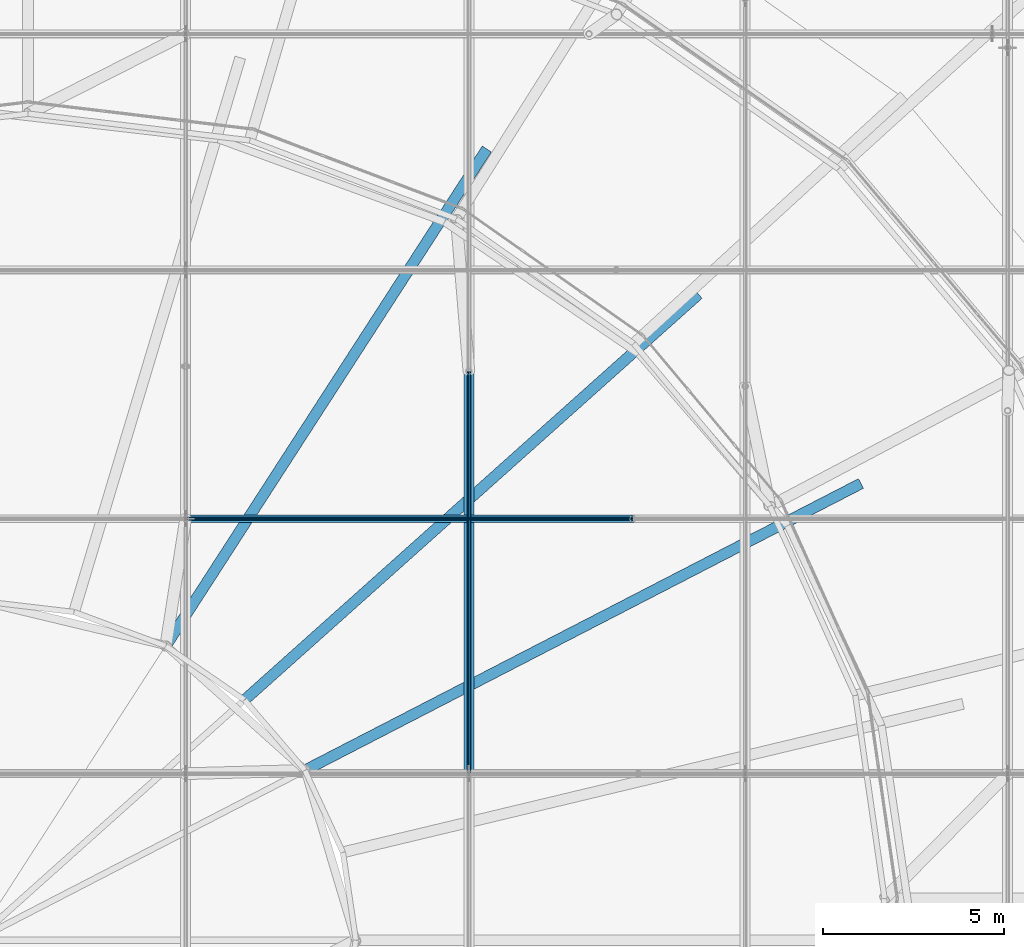
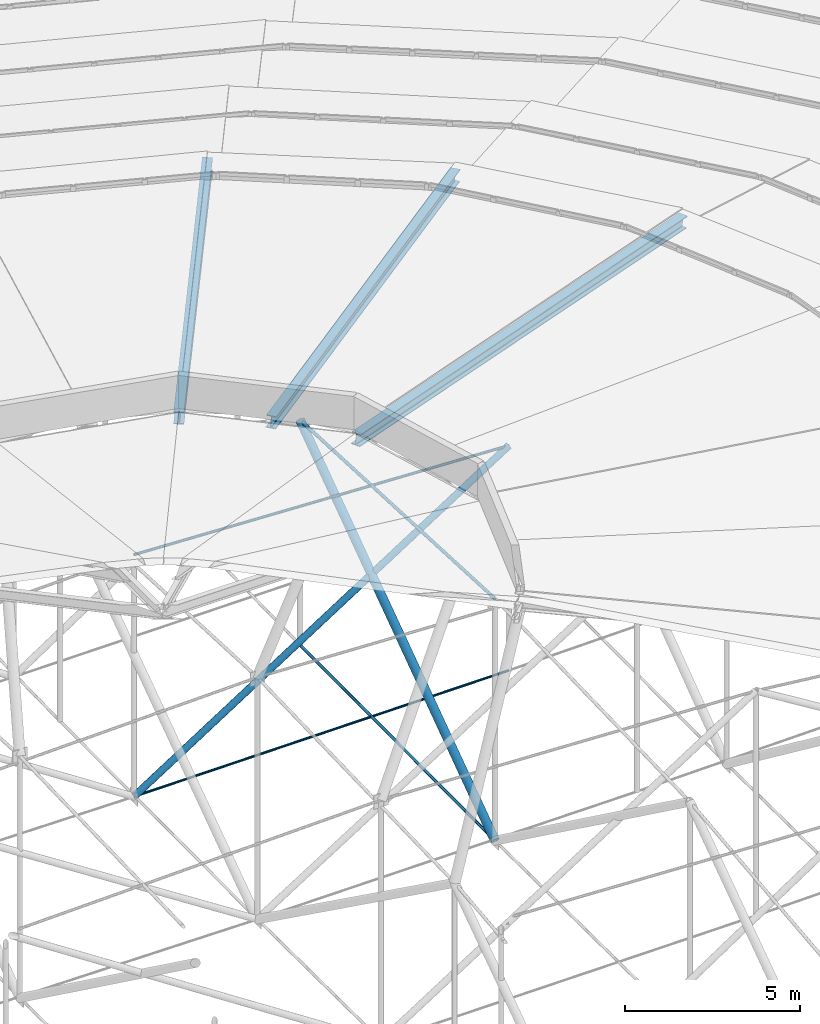
# One storey, part 69 of 173: 9 members.
"""IFC4 building model written with IfcOpenShell, lengths in metres."""

from ifc_helpers import new_model, si_unit, direction, frame, origin, origin_2d, place, context, subcontext, project, spatial, circle, hollow_circle, i_section, extrude, material, material_profile, profile_set, type_object, element, save


model = new_model("IFC4")

# Units and contexts
model_context = context("Model", 3, precision=1e-05, world=origin(), true_north=direction((0.0, 1.0)))
body_context = subcontext(model_context, "Body", "Model", "MODEL_VIEW")
ifc_project = project(units=[si_unit("LENGTHUNIT", "METRE"), si_unit("AREAUNIT", "SQUARE_METRE"), si_unit("VOLUMEUNIT", "CUBIC_METRE"), si_unit("PLANEANGLEUNIT", "RADIAN"), si_unit("MASSUNIT", "GRAM", prefix="KILO")], contexts=[model_context])

# Site, building, storey
site_placement = place(None, origin())
site = spatial("IfcSite", under=ifc_project, at=site_placement, CompositionType="ELEMENT")
building_placement = place(site_placement, origin())
building = spatial("IfcBuilding", under=site, at=building_placement, Name="Glasvene Arena", CompositionType="ELEMENT")
storey_placement = place(building_placement, frame((0.0, 0.0, 28.800048828125)))
storey = spatial("IfcBuildingStorey", under=building, at=storey_placement, Name="RF", CompositionType="ELEMENT", Elevation=28.800048828125)

# Members
ifc_material_1 = material(Name="High-strength steel spiral strand S460", Category="steel")
ifc_material_profile_1 = material_profile(ifc_material_1, circle(Radius=0.052490234375, at=origin_2d()), Name="LCSS D105")
ifc_profile_set_1 = profile_set([ifc_material_profile_1], Name="High-strength steel spiral strand S460")
member_type_1 = type_object("IfcMemberType", Name="MB-CABLE-105", PredefinedType="USERDEFINED", material=ifc_profile_set_1)
member_1_placement = place(storey_placement, frame((99.82177734375, 73.0, 6.02001953125), z_axis=(0.0, 0.998903607399, -0.04681434743), x_axis=(-1.0, 0.0, 0.0)))
element("IfcMember", 1, at=member_1_placement, inside=storey, type_object=member_type_1, Name="Upper lens roof cable NS04-05", ObjectType="ROOF CABLE", PredefinedType="USERDEFINED", context=body_context, shape_type="SweptSolid", body=[
    extrude(circle(Radius=0.052490234375, at=origin_2d()), origin(), (0.0, 0.0, 1.0), 11.123779296875),
])
ifc_material_profile_2 = material_profile(ifc_material_1, circle(Radius=0.03759765625, at=origin_2d()), Name="LCSS D75")
ifc_profile_set_2 = profile_set([ifc_material_profile_2], Name="High-strength steel spiral strand S460")
member_type_2 = type_object("IfcMemberType", Name="MB-CABLE-75", PredefinedType="USERDEFINED", material=ifc_profile_set_2)
member_2_placement = place(storey_placement, frame((92.0, 80.03955078125, -2.400146484375), z_axis=(0.999982985584, 0.0, 0.005833398868), x_axis=(0.0, 1.0, 0.0)))
element("IfcMember", 2, at=member_2_placement, inside=storey, type_object=member_type_2, Name="Lower stabilization roof cable EW05-05", ObjectType="ROOF CABLE", PredefinedType="USERDEFINED", context=body_context, shape_type="SweptSolid", body=[
    extrude(circle(Radius=0.03759765625, at=origin_2d()), origin(), (0.0, 0.0, 1.0), 12.346435546875),
])
ifc_material_profile_3 = material_profile(ifc_material_1, circle(Radius=0.044921875, at=origin_2d()), Name="LCSS D90")
ifc_profile_set_3 = profile_set([ifc_material_profile_3], Name="High-strength steel spiral strand S460")
member_type_3 = type_object("IfcMemberType", Name="MB-CABLE-90", PredefinedType="USERDEFINED", material=ifc_profile_set_3)
member_3_placement = place(storey_placement, frame((99.82177734375, 73.0, -2.400146484375), z_axis=(0.0, 0.999978994674, 0.00648152843), x_axis=(-1.0, 0.0, 0.0)))
element("IfcMember", 3, at=member_3_placement, inside=storey, type_object=member_type_3, Name="Lower stabilization roof cable NS04-05", ObjectType="ROOF CABLE", PredefinedType="USERDEFINED", context=body_context, shape_type="SweptSolid", body=[
    extrude(circle(Radius=0.044921875, at=origin_2d()), origin(), (0.0, 0.0, 1.0), 11.11181640625),
])
member_4_placement = place(storey_placement, frame((92.0, 80.03955078125, 6.02001953125), z_axis=(0.999111644499, 0.0, -0.042141687517), x_axis=(0.0, 1.0, 0.0)))
element("IfcMember", 4, at=member_4_placement, inside=storey, type_object=member_type_3, Name="Upper lens roof cable EW05-05", ObjectType="ROOF CABLE", PredefinedType="USERDEFINED", context=body_context, shape_type="SweptSolid", body=[
    extrude(circle(Radius=0.044921875, at=origin_2d()), origin(), (0.0, 0.0, 1.0), 12.357177734375),
])
ifc_material_2 = material(Name="Steel S355J2", Category="steel")
ifc_material_profile_4 = material_profile(ifc_material_2, i_section(OverallWidth=0.300048828125, OverallDepth=0.39990234375, WebThickness=0.013427734375, FlangeThickness=0.02392578125, FilletRadius=0.027099609375, at=origin_2d()), Name="HEB 400")
ifc_profile_set_4 = profile_set([ifc_material_profile_4], Name="Steel S355J2")
member_type_4 = type_object("IfcMemberType", Name="MB-CHORD-HEB400", PredefinedType="CHORD", material=ifc_profile_set_4)
member_5_placement = place(storey_placement, frame((110.621826171875, 81.0, 10.550048828125), z_axis=(-0.879139743205, -0.4535720336, 0.146238579907), x_axis=(0.458501219441, -0.888693778403, 0.0)))
element("IfcMember", 5, at=member_5_placement, inside=storey, type_object=member_type_4, Name="Petal ring 5 radial rib 03", PredefinedType="CHORD", context=body_context, shape_type="SweptSolid", body=[
    extrude(i_section(OverallWidth=0.300048828125, OverallDepth=0.39990234375, WebThickness=0.013427734375, FlangeThickness=0.02392578125, FilletRadius=0.027099609375, at=origin_2d()), origin(), (0.0, 0.0, 1.0), 17.43603515625),
])
member_6_placement = place(storey_placement, frame((106.140380859375, 86.218994140625, 10.550048828125), z_axis=(-0.737207566657, -0.658762871912, 0.150188156172), x_axis=(0.666320659335, -0.745665326365, 0.0)))
element("IfcMember", 6, at=member_6_placement, inside=storey, type_object=member_type_4, Name="Petal ring 5 radial rib 04", PredefinedType="CHORD", context=body_context, shape_type="SweptSolid", body=[
    extrude(i_section(OverallWidth=0.300048828125, OverallDepth=0.39990234375, WebThickness=0.013427734375, FlangeThickness=0.02392578125, FilletRadius=0.027099609375, at=origin_2d()), origin(), (0.0, 0.0, 1.0), 16.977294921875),
])
member_7_placement = place(storey_placement, frame((100.300048828125, 90.223876953125, 10.550048828125), z_axis=(-0.53616194146, -0.829860359986, 0.154473801837), x_axis=(0.839942283908, -0.542675740846, 0.0)))
element("IfcMember", 7, at=member_7_placement, inside=storey, type_object=member_type_4, Name="Petal ring 5 radial rib 05", PredefinedType="CHORD", context=body_context, shape_type="SweptSolid", body=[
    extrude(i_section(OverallWidth=0.300048828125, OverallDepth=0.39990234375, WebThickness=0.013427734375, FlangeThickness=0.02392578125, FilletRadius=0.027099609375, at=origin_2d()), origin(), (0.0, 0.0, 1.0), 16.50634765625),
])
ifc_material_profile_5 = material_profile(ifc_material_2, hollow_circle(Radius=0.109619140625, WallThickness=0.010009765625, at=origin_2d()), Name="CHS 219.1x10.0")
ifc_profile_set_5 = profile_set([ifc_material_profile_5], Name="Steel S355J2")
member_type_5 = type_object("IfcMemberType", Name="MB-WEB-CHS219", PredefinedType="BRACE", material=ifc_profile_set_5)
member_8_placement = place(storey_placement, frame((92.0, 80.03955078125, -2.400146484375), z_axis=(0.842337946098, 0.0, 0.538949705041), x_axis=(0.0, 1.0, 0.0)))
element("IfcMember", 8, at=member_8_placement, inside=storey, type_object=member_type_5, Name="Cable-truss diagonal web strut EW05-05", PredefinedType="BRACE", context=body_context, shape_type="SweptSolid", body=[
    extrude(hollow_circle(Radius=0.109619140625, WallThickness=0.010009765625, at=origin_2d()), origin(), (0.0, 0.0, 1.0), 14.656982421875),
])
ifc_material_profile_6 = material_profile(ifc_material_2, hollow_circle(Radius=0.136474609375, WallThickness=0.012451171875, at=origin_2d()), Name="CHS 273.0x12.5")
ifc_profile_set_6 = profile_set([ifc_material_profile_6], Name="Steel S355J2")
member_type_6 = type_object("IfcMemberType", Name="MB-WEB-CHS273", PredefinedType="BRACE", material=ifc_profile_set_6)
member_9_placement = place(storey_placement, frame((99.82177734375, 73.0, -2.400146484375), z_axis=(0.0, 0.815029744029, 0.579419119764), x_axis=(-1.0, 0.0, 0.0)))
element("IfcMember", 9, at=member_9_placement, inside=storey, type_object=member_type_6, Name="Cable-truss diagonal web strut NS04-05", PredefinedType="BRACE", context=body_context, shape_type="SweptSolid", body=[
    extrude(hollow_circle(Radius=0.136474609375, WallThickness=0.012451171875, at=origin_2d()), origin(), (0.0, 0.0, 1.0), 13.63330078125),
])

save(model, "model.ifc")
